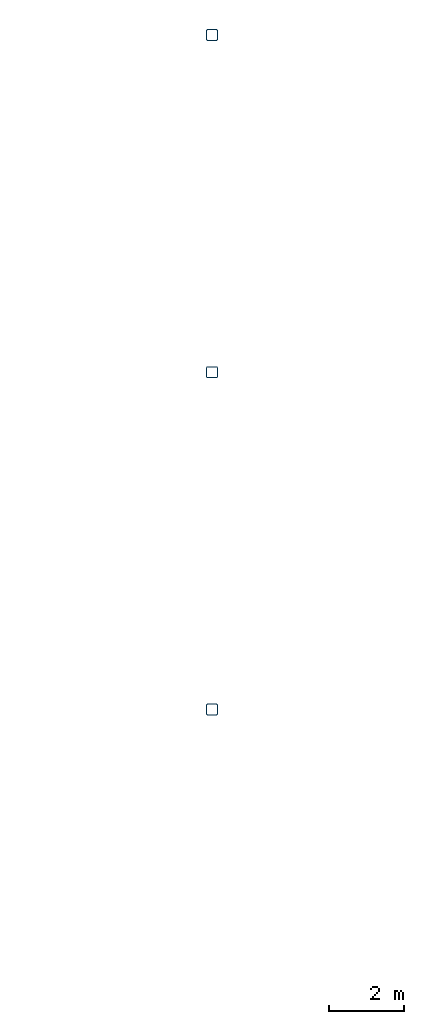
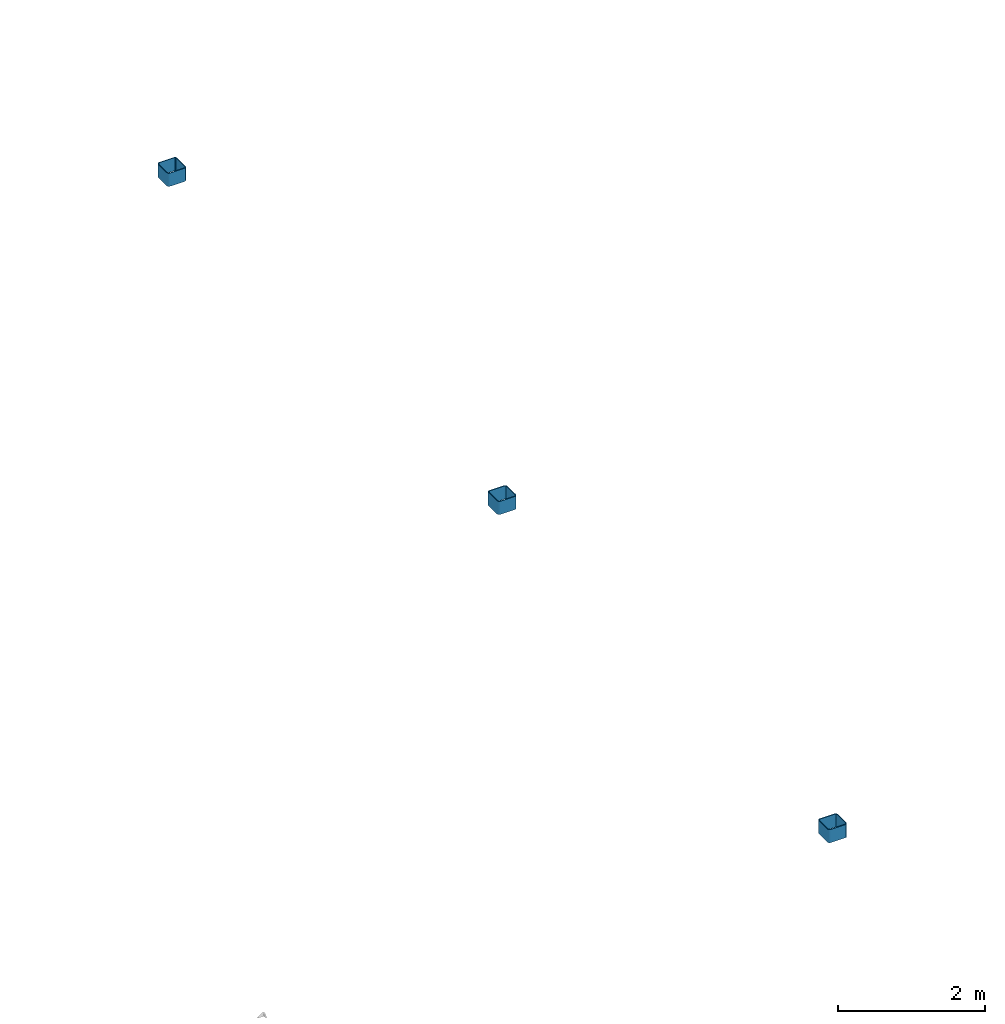
# One storey, part 13 of 15: 3 columns.
"""IFC4 building model written with IfcOpenShell, lengths in metres."""

from ifc_helpers import new_model, si_unit, direction, frame, origin, origin_2d, place, context, subcontext, project, spatial, hollow_rectangle, extrude, material, material_profile, profile_set, type_object, element, save


model = new_model("IFC4")

# Units and contexts
model_context = context("Model", 3, precision=1e-05, world=origin(), true_north=direction((0.0, 1.0)))
body_context = subcontext(model_context, "Body", "Model", "MODEL_VIEW")
ifc_project = project(units=[si_unit("LENGTHUNIT", "METRE"), si_unit("AREAUNIT", "SQUARE_METRE"), si_unit("VOLUMEUNIT", "CUBIC_METRE"), si_unit("PLANEANGLEUNIT", "RADIAN"), si_unit("MASSUNIT", "GRAM", prefix="KILO")], contexts=[model_context])

# Site, building, storey
site_placement = place(None, origin())
site = spatial("IfcSite", under=ifc_project, at=site_placement, CompositionType="ELEMENT")
building_placement = place(site_placement, origin())
building = spatial("IfcBuilding", under=site, at=building_placement, Name="Opaline Strait Convention Centre", CompositionType="ELEMENT")
storey_placement = place(building_placement, frame((0.0, 0.0, 20.10009765625)))
storey = spatial("IfcBuildingStorey", under=building, at=storey_placement, Name="Roof Restaurants and Business Centre", CompositionType="ELEMENT", Elevation=20.10009765625)

# Columns
ifc_material = material(Name="Steel Q355B", Category="steel")
ifc_material_profile = material_profile(ifc_material, hollow_rectangle(XDim=0.300048828125, YDim=0.300048828125, WallThickness=0.011962890625, InnerFilletRadius=0.02392578125, OuterFilletRadius=0.035888671875, at=origin_2d()), Name="RHS 300x300x12")
ifc_profile_set = profile_set([ifc_material_profile], Name="Steel Q355B")
column_type = type_object("IfcColumnType", Name="Roof post RHS 300x300x12", PredefinedType="COLUMN", material=ifc_profile_set)
for number, where, z_axis, x_axis, name in (
    (1, (324.0, 162.0, 0.0), (0.0, 0.0, 1.0), (1.0, 0.0, 0.0), "MRS1 roof post at 37/U above Roof Restaurants and Business Centre"),
    (2, (324.0, 171.0, 0.0), (0.0, 0.0, 1.0), (1.0, 0.0, 0.0), "MRS1 roof post at 37/V above Roof Restaurants and Business Centre"),
    (3, (324.0, 180.0, 0.0), (0.0, 0.0, 1.0), (1.0, 0.0, 0.0), "MRS1 roof post at 37/W above Roof Restaurants and Business Centre"),
):
    element("IfcColumn", number, at=place(storey_placement, frame(where, z_axis=z_axis, x_axis=x_axis)), inside=storey, type_object=column_type, Name=name, PredefinedType="COLUMN", context=body_context, shape_type="SweptSolid", body=[
        extrude(hollow_rectangle(XDim=0.300048828125, YDim=0.300048828125, WallThickness=0.011962890625, InnerFilletRadius=0.02392578125, OuterFilletRadius=0.035888671875, at=origin_2d()), origin(), (0.0, 0.0, 1.0), 0.2197265625),
    ])

save(model, "model.ifc")
